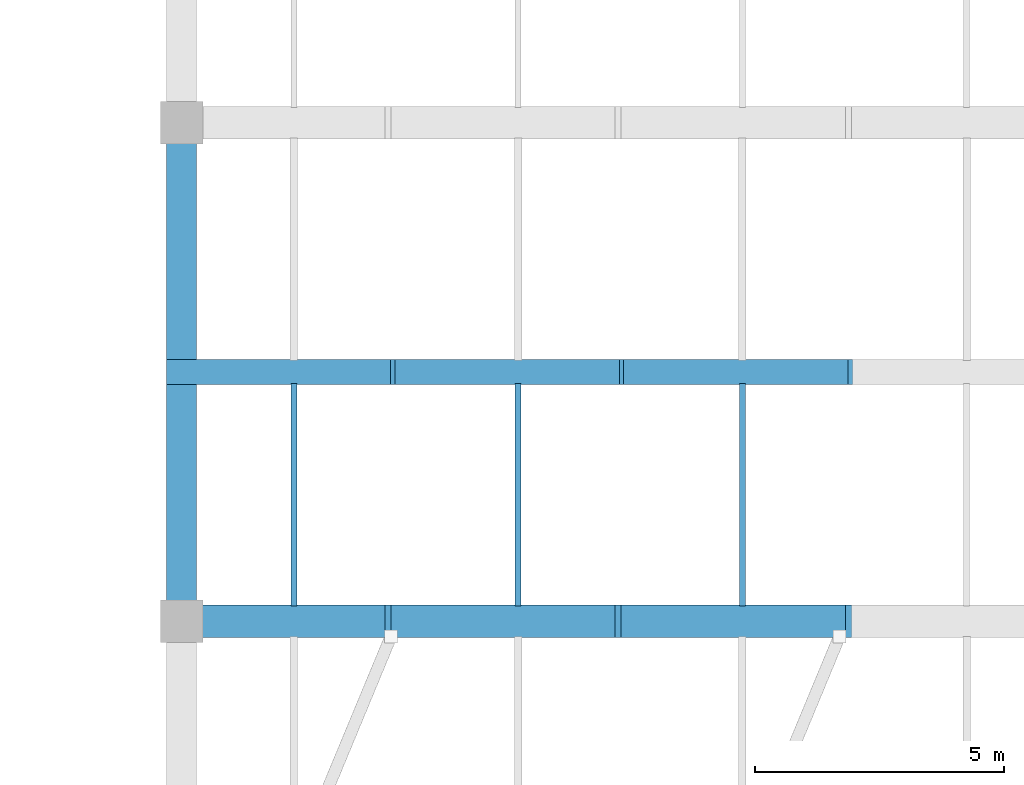
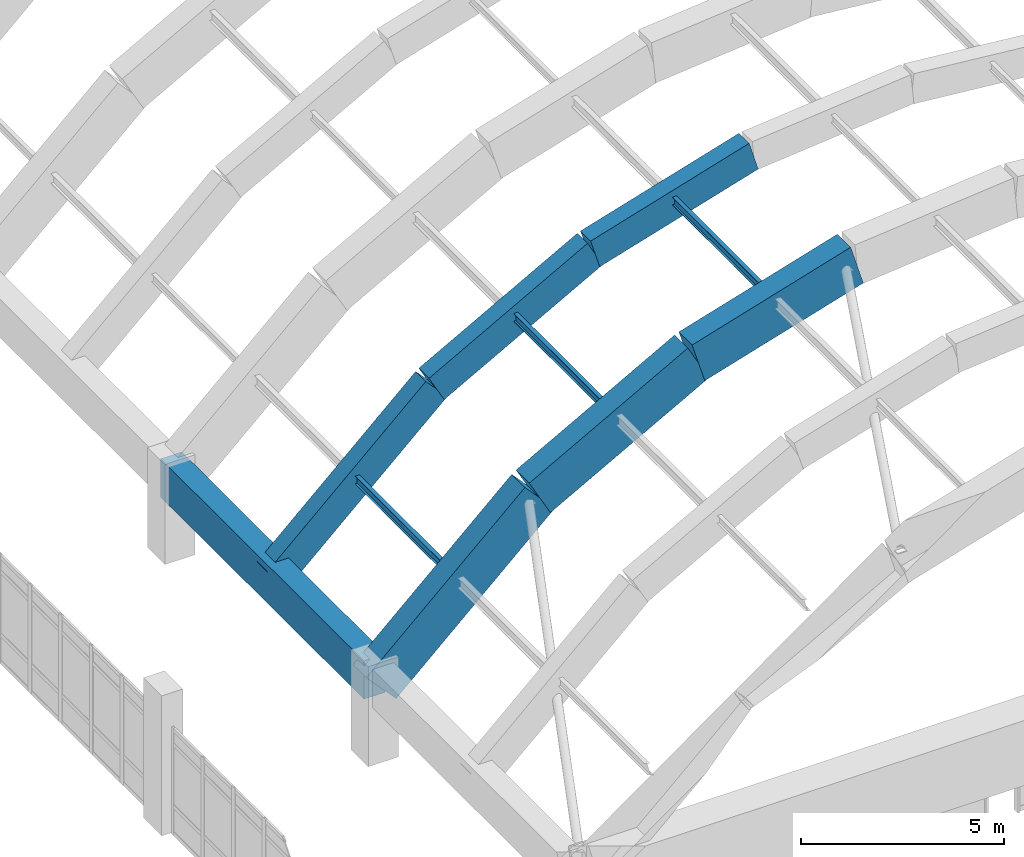
# One storey, part 63 of 111: 7 beams, 3 members.
"""IFC4 building model written with IfcOpenShell, lengths in metres."""

from ifc_helpers import new_model, si_unit, direction, frame, origin, origin_2d, place, context, subcontext, project, spatial, rectangle, i_section, extrude, material, material_profile, profile_set, type_object, element, save


model = new_model("IFC4")

# Units and contexts
model_context = context("Model", 3, precision=1e-05, world=origin(), true_north=direction((0.0, 1.0)))
body_context = subcontext(model_context, "Body", "Model", "MODEL_VIEW")
ifc_project = project(units=[si_unit("LENGTHUNIT", "METRE"), si_unit("AREAUNIT", "SQUARE_METRE"), si_unit("VOLUMEUNIT", "CUBIC_METRE"), si_unit("PLANEANGLEUNIT", "RADIAN"), si_unit("MASSUNIT", "GRAM", prefix="KILO")], contexts=[model_context])

# Site, building, storey
site_placement = place(None, origin())
site = spatial("IfcSite", under=ifc_project, at=site_placement, CompositionType="ELEMENT")
building_placement = place(site_placement, origin())
building = spatial("IfcBuilding", under=site, at=building_placement, Name="Mersad Railyard Sports Hall", CompositionType="ELEMENT")
storey_placement = place(building_placement, frame((0.0, 0.0, 9.0)))
storey = spatial("IfcBuildingStorey", under=building, at=storey_placement, Name="L02", CompositionType="ELEMENT", Elevation=9.0)

# Beams
ifc_material_1 = material(Name="Concrete C50/60", Category="concrete")
ifc_material_profile_1 = material_profile(ifc_material_1, rectangle(XDim=0.60009765625, YDim=1.14990234375, at=origin_2d()), Name="RC 600x1150")
ifc_profile_set_1 = profile_set([ifc_material_profile_1], Name="Concrete C50/60")
beam_type_1 = type_object("IfcBeamType", Name="STR-BM-B05", PredefinedType="BEAM", material=ifc_profile_set_1)
beam_1_placement = place(storey_placement, frame((137.0, 13.5, 2.300048828125), z_axis=(0.0, 1.0, 0.0), x_axis=(-1.0, 0.0, 0.0)))
element("IfcBeam", 1, at=beam_1_placement, inside=storey, type_object=beam_type_1, Name="Beam B05-0707", PredefinedType="BEAM", context=body_context, shape_type="SweptSolid", body=[
    extrude(rectangle(XDim=0.60009765625, YDim=1.14990234375, at=origin_2d()), origin(), (0.0, 0.0, 1.0), 10.0),
])
ifc_material_2 = material(Name="Architectural concrete C50/60", Category="concrete")
ifc_material_profile_2 = material_profile(ifc_material_2, rectangle(XDim=0.64990234375, YDim=1.25, at=origin_2d()), Name="VR 650x1250")
ifc_profile_set_2 = profile_set([ifc_material_profile_2], Name="Architectural concrete C50/60")
beam_type_2 = type_object("IfcBeamType", Name="STR-BM-VR01", PredefinedType="BEAM", material=ifc_profile_set_2)
beam_2_placement = place(storey_placement, frame((137.0, 13.5, 2.14990234375), z_axis=(0.736556702909, 0.0, 0.676375800425), x_axis=(0.0, 1.0, 0.0)))
element("IfcBeam", 2, at=beam_2_placement, inside=storey, type_object=beam_type_2, Name="Beam VR01-0737", PredefinedType="BEAM", context=body_context, shape_type="SweptSolid", body=[
    extrude(rectangle(XDim=0.64990234375, YDim=1.25, at=origin_2d()), origin(), (0.0, 0.0, 1.0), 6.109619140625),
])
beam_3_placement = place(storey_placement, frame((141.5, 13.5, 6.2822265625), z_axis=(0.876227952683, 0.0, 0.48189685093), x_axis=(0.0, 1.0, 0.0)))
element("IfcBeam", 3, at=beam_3_placement, inside=storey, type_object=beam_type_2, Name="Beam VR01-0738", PredefinedType="BEAM", context=body_context, shape_type="SweptSolid", body=[
    extrude(rectangle(XDim=0.64990234375, YDim=1.25, at=origin_2d()), origin(), (0.0, 0.0, 1.0), 5.1357421875),
])
beam_4_placement = place(storey_placement, frame((146.0, 13.5, 8.757080078125), z_axis=(0.957376232028, 0.0, 0.288843816531), x_axis=(0.0, 1.0, 0.0)))
element("IfcBeam", 4, at=beam_4_placement, inside=storey, type_object=beam_type_2, Name="Beam VR01-0739", PredefinedType="BEAM", context=body_context, shape_type="SweptSolid", body=[
    extrude(rectangle(XDim=0.64990234375, YDim=1.25, at=origin_2d()), origin(), (0.0, 0.0, 1.0), 4.700439453125),
])
ifc_material_profile_3 = material_profile(ifc_material_2, rectangle(XDim=0.5, YDim=0.89990234375, at=origin_2d()), Name="VR 500x900")
ifc_profile_set_3 = profile_set([ifc_material_profile_3], Name="Architectural concrete C50/60")
beam_type_3 = type_object("IfcBeamType", Name="STR-BM-VR02", PredefinedType="BEAM", material=ifc_profile_set_3)
beam_5_placement = place(storey_placement, frame((137.0, 18.5, 2.340087890625), z_axis=(0.736576611143, 0.0, 0.676354120204), x_axis=(0.0, 1.0, 0.0)))
element("IfcBeam", 5, at=beam_5_placement, inside=storey, type_object=beam_type_3, Name="Beam VR02-0745", PredefinedType="BEAM", context=body_context, shape_type="SweptSolid", body=[
    extrude(rectangle(XDim=0.5, YDim=0.89990234375, at=origin_2d()), origin(), (0.0, 0.0, 1.0), 6.109375),
])
beam_6_placement = place(storey_placement, frame((141.5, 18.5, 6.47216796875), z_axis=(0.876227952683, 0.0, 0.48189685093), x_axis=(0.0, 1.0, 0.0)))
element("IfcBeam", 6, at=beam_6_placement, inside=storey, type_object=beam_type_3, Name="Beam VR02-0746", PredefinedType="BEAM", context=body_context, shape_type="SweptSolid", body=[
    extrude(rectangle(XDim=0.5, YDim=0.89990234375, at=origin_2d()), origin(), (0.0, 0.0, 1.0), 5.1357421875),
])
beam_7_placement = place(storey_placement, frame((146.0, 18.5, 8.947021484375), z_axis=(0.957361867705, 0.0, 0.288891422969), x_axis=(0.0, 1.0, 0.0)))
element("IfcBeam", 7, at=beam_7_placement, inside=storey, type_object=beam_type_3, Name="Beam VR02-0747", PredefinedType="BEAM", context=body_context, shape_type="SweptSolid", body=[
    extrude(rectangle(XDim=0.5, YDim=0.89990234375, at=origin_2d()), origin(), (0.0, 0.0, 1.0), 4.700439453125),
])

# Members
ifc_material_3 = material(Name="Steel S355", Category="steel")
ifc_material_profile_4 = material_profile(ifc_material_3, i_section(OverallWidth=0.1201171875, OverallDepth=0.239990234375, WebThickness=0.006103515625, FlangeThickness=0.009765625, at=origin_2d()), Name="IPE 240")
ifc_profile_set_4 = profile_set([ifc_material_profile_4], Name="Steel S355")
member_type = type_object("IfcMemberType", Name="STR-MEM-PU01", PredefinedType="PURLIN", material=ifc_profile_set_4)
for number, where, z_axis, x_axis, name in (
    (8, (139.25, 13.804931640625, 4.546142578125), (0.0, 1.0, 0.0), (-1.0, 0.0, 0.0), "Structural member PU01-0114"),
    (9, (143.75, 13.804931640625, 7.849609375), (0.0, 1.0, 0.0), (-1.0, 0.0, 0.0), "Structural member PU01-0116"),
    (10, (148.25, 13.804931640625, 9.765869140625), (0.0, 1.0, 0.0), (-1.0, 0.0, 0.0), "Structural member PU01-0118"),
):
    element("IfcMember", number, at=place(storey_placement, frame(where, z_axis=z_axis, x_axis=x_axis)), inside=storey, type_object=member_type, Name=name, PredefinedType="PURLIN", context=body_context, shape_type="SweptSolid", body=[
        extrude(i_section(OverallWidth=0.1201171875, OverallDepth=0.239990234375, WebThickness=0.006103515625, FlangeThickness=0.009765625, at=origin_2d()), origin(), (0.0, 0.0, 1.0), 4.465087890625),
    ])

save(model, "model.ifc")
